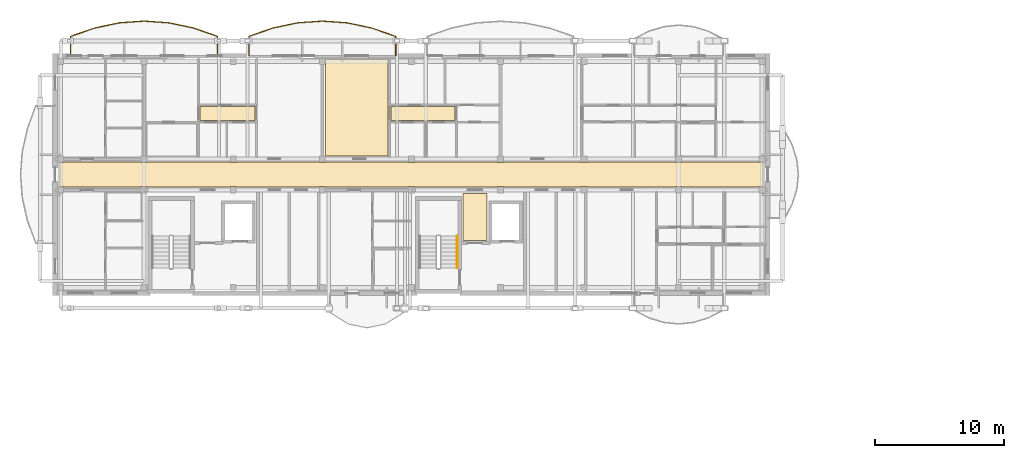
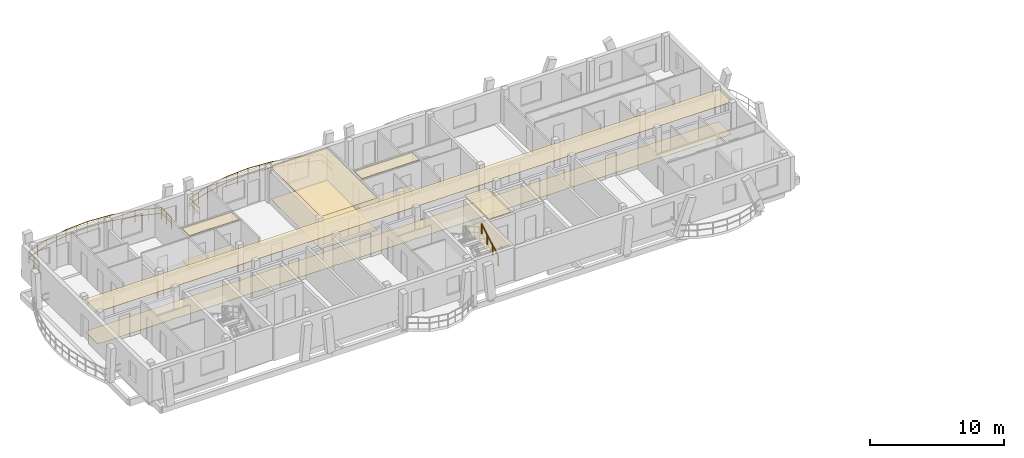
# One storey, part 42 of 48: 10 coverings, 3 railings.
"""IFC4 building model written with IfcOpenShell, lengths in metres."""

from ifc_helpers import new_model, si_unit, direction, frame, origin, origin_2d, place, context, subcontext, project, spatial, polyline, rectangle, outline, extrude, material, layer, layer_set, type_object, element, save


model = new_model("IFC4")

# Units and contexts
model_context = context("Model", 3, precision=1e-05, world=origin(), true_north=direction((0.0, 1.0)))
body_context = subcontext(model_context, "Body", "Model", "MODEL_VIEW")
ifc_project = project(units=[si_unit("LENGTHUNIT", "METRE"), si_unit("AREAUNIT", "SQUARE_METRE"), si_unit("VOLUMEUNIT", "CUBIC_METRE"), si_unit("PLANEANGLEUNIT", "RADIAN"), si_unit("MASSUNIT", "GRAM", prefix="KILO")], contexts=[model_context])

# Site, building, storey
site_placement = place(None, origin())
site = spatial("IfcSite", under=ifc_project, at=site_placement, CompositionType="ELEMENT")
building_placement = place(site_placement, origin())
building = spatial("IfcBuilding", under=site, at=building_placement, Name="Zavelmont Quarter", CompositionType="ELEMENT")
storey_placement = place(building_placement, frame((0.0, 0.0, 17.60009765625)))
storey = spatial("IfcBuildingStorey", under=building, at=storey_placement, Name="L05", CompositionType="ELEMENT", Elevation=17.60009765625)

# Coverings
ifc_material_1 = material(Name="Perforated acoustic gypsum board")
ifc_layer_1 = layer(ifc_material_1, 0.02490234375)
ifc_layer_set_1 = layer_set([ifc_layer_1], Name="Perforated acoustic gypsum board")
covering_type_1 = type_object("IfcCoveringType", Name="CV-CL01", PredefinedType="CEILING", material=ifc_layer_set_1)
covering_1_placement = place(storey_placement, frame((0.0, 0.0, 2.9248046875)))
element("IfcCovering", 1, at=covering_1_placement, inside=storey, type_object=covering_type_1, Name="L05 Lobby Vestibule acoustic ceiling", PredefinedType="CEILING", context=body_context, shape_type="SweptSolid", body=[
    extrude(outline(polyline([(31.580078125, 105.320068359375), (33.469970703125, 105.320068359375), (33.469970703125, 101.679931640625), (31.580078125, 101.679931640625), (31.580078125, 105.320068359375)])), origin(), (0.0, 0.0, 1.0), 0.025146484375),
])
covering_2_placement = place(storey_placement, frame((0.0, 0.0, 2.9248046875)))
element("IfcCovering", 2, at=covering_2_placement, inside=storey, type_object=covering_type_1, Name="L05 Residential Corridor acoustic ceiling", PredefinedType="CEILING", context=body_context, shape_type="SweptSolid", body=[
    extrude(outline(polyline([(0.3798828125, 107.735107421875), (0.705078125, 107.735107421875), (0.705078125, 107.77001953125), (6.635009765625, 107.77001953125), (6.635009765625, 107.735107421875), (7.1650390625, 107.735107421875), (7.1650390625, 107.77001953125), (13.534912109375, 107.77001953125), (13.534912109375, 107.735107421875), (14.06494140625, 107.735107421875), (14.06494140625, 107.77001953125), (20.43505859375, 107.77001953125), (20.43505859375, 107.735107421875), (20.965087890625, 107.735107421875), (20.965087890625, 107.77001953125), (27.3349609375, 107.77001953125), (27.3349609375, 107.735107421875), (27.864990234375, 107.735107421875), (27.864990234375, 107.77001953125), (34.235107421875, 107.77001953125), (34.235107421875, 107.735107421875), (34.764892578125, 107.735107421875), (34.764892578125, 107.77001953125), (40.695068359375, 107.77001953125), (40.695068359375, 107.735107421875), (41.22509765625, 107.735107421875), (41.22509765625, 107.77001953125), (48.034912109375, 107.77001953125), (48.034912109375, 107.735107421875), (48.56494140625, 107.735107421875), (48.56494140625, 107.77001953125), (54.4951171875, 107.77001953125), (54.4951171875, 107.735107421875), (54.820068359375, 107.735107421875), (54.820068359375, 105.864990234375), (54.4951171875, 105.864990234375), (54.4951171875, 105.830078125), (48.56494140625, 105.830078125), (48.56494140625, 105.864990234375), (48.034912109375, 105.864990234375), (48.034912109375, 105.830078125), (41.22509765625, 105.830078125), (41.22509765625, 105.864990234375), (40.695068359375, 105.864990234375), (40.695068359375, 105.830078125), (34.764892578125, 105.830078125), (34.764892578125, 105.864990234375), (34.235107421875, 105.864990234375), (34.235107421875, 105.830078125), (27.864990234375, 105.830078125), (27.864990234375, 105.864990234375), (27.3349609375, 105.864990234375), (27.3349609375, 105.830078125), (20.965087890625, 105.830078125), (20.965087890625, 105.864990234375), (20.43505859375, 105.864990234375), (20.43505859375, 105.830078125), (14.06494140625, 105.830078125), (14.06494140625, 105.864990234375), (13.534912109375, 105.864990234375), (13.534912109375, 105.830078125), (7.1650390625, 105.830078125), (7.1650390625, 105.864990234375), (6.635009765625, 105.864990234375), (6.635009765625, 105.830078125), (0.705078125, 105.830078125), (0.705078125, 105.864990234375), (0.3798828125, 105.864990234375), (0.3798828125, 107.735107421875)])), origin(), (0.0, 0.0, 1.0), 0.025146484375),
])
covering_3_placement = place(storey_placement, frame((0.0, 0.0, 2.9248046875)))
element("IfcCovering", 3, at=covering_3_placement, inside=storey, type_object=covering_type_1, Name="L05 Living Dining acoustic ceiling", PredefinedType="CEILING", context=body_context, shape_type="SweptSolid", body=[
    extrude(outline(polyline([(20.929931640625, 115.294921875), (20.965087890625, 115.294921875), (20.965087890625, 115.719970703125), (25.77001953125, 115.719970703125), (25.77001953125, 108.22998046875), (20.965087890625, 108.22998046875), (20.965087890625, 108.264892578125), (20.929931640625, 108.264892578125), (20.929931640625, 115.294921875)])), origin(), (0.0, 0.0, 1.0), 0.025146484375),
])
ifc_material_2 = material(Name="Slatted European ash acoustic baffle ceiling")
ifc_layer_2 = layer(ifc_material_2, 0.0400390625)
ifc_layer_set_2 = layer_set([ifc_layer_2], Name="Slatted European ash acoustic baffle ceiling")
covering_type_2 = type_object("IfcCoveringType", Name="CV-CL02", PredefinedType="CEILING", material=ifc_layer_set_2)
covering_4_placement = place(storey_placement, frame((0.0, 0.0, 2.909912109375)))
element("IfcCovering", 4, at=covering_4_placement, inside=storey, type_object=covering_type_2, Name="L05 Apartment Hall acoustic ceiling", PredefinedType="CEILING", context=body_context, shape_type="SweptSolid", body=[
    extrude(outline(polyline([(11.22998046875, 112.070068359375), (15.469970703125, 112.070068359375), (15.469970703125, 110.97998046875), (11.22998046875, 110.97998046875), (11.22998046875, 112.070068359375)])), origin(), (0.0, 0.0, 1.0), 0.0400390625),
])
covering_5_placement = place(storey_placement, frame((0.0, 0.0, 2.909912109375)))
element("IfcCovering", 5, at=covering_5_placement, inside=storey, type_object=covering_type_2, Name="L05 Apartment Hall acoustic ceiling", PredefinedType="CEILING", context=body_context, shape_type="SweptSolid", body=[
    extrude(outline(polyline([(26.030029296875, 112.070068359375), (30.969970703125, 112.070068359375), (30.969970703125, 110.97998046875), (26.030029296875, 110.97998046875), (26.030029296875, 112.070068359375)])), origin(), (0.0, 0.0, 1.0), 0.0400390625),
])
ifc_material_3 = material(Name="Engineered European oak parquet")
ifc_layer_3 = layer(ifc_material_3, 0.02197265625)
ifc_layer_set_3 = layer_set([ifc_layer_3], Name="Engineered European oak parquet")
covering_type_3 = type_object("IfcCoveringType", Name="CV-FL01", PredefinedType="FLOORING", material=ifc_layer_set_3)
covering_6_placement = place(storey_placement, origin())
element("IfcCovering", 6, at=covering_6_placement, inside=storey, type_object=covering_type_3, Name="L05 Lobby Vestibule floor finish", PredefinedType="FLOORING", context=body_context, shape_type="SweptSolid", body=[
    extrude(outline(polyline([(31.580078125, 105.320068359375), (33.469970703125, 105.320068359375), (33.469970703125, 101.679931640625), (31.580078125, 101.679931640625), (31.580078125, 105.320068359375)])), origin(), (0.0, 0.0, 1.0), 0.02197265625),
])
covering_7_placement = place(storey_placement, origin())
element("IfcCovering", 7, at=covering_7_placement, inside=storey, type_object=covering_type_3, Name="L05 Residential Corridor floor finish", PredefinedType="FLOORING", context=body_context, shape_type="SweptSolid", body=[
    extrude(outline(polyline([(0.3798828125, 107.735107421875), (0.705078125, 107.735107421875), (0.705078125, 107.77001953125), (6.635009765625, 107.77001953125), (6.635009765625, 107.735107421875), (7.1650390625, 107.735107421875), (7.1650390625, 107.77001953125), (13.534912109375, 107.77001953125), (13.534912109375, 107.735107421875), (14.06494140625, 107.735107421875), (14.06494140625, 107.77001953125), (20.43505859375, 107.77001953125), (20.43505859375, 107.735107421875), (20.965087890625, 107.735107421875), (20.965087890625, 107.77001953125), (27.3349609375, 107.77001953125), (27.3349609375, 107.735107421875), (27.864990234375, 107.735107421875), (27.864990234375, 107.77001953125), (34.235107421875, 107.77001953125), (34.235107421875, 107.735107421875), (34.764892578125, 107.735107421875), (34.764892578125, 107.77001953125), (40.695068359375, 107.77001953125), (40.695068359375, 107.735107421875), (41.22509765625, 107.735107421875), (41.22509765625, 107.77001953125), (48.034912109375, 107.77001953125), (48.034912109375, 107.735107421875), (48.56494140625, 107.735107421875), (48.56494140625, 107.77001953125), (54.4951171875, 107.77001953125), (54.4951171875, 107.735107421875), (54.820068359375, 107.735107421875), (54.820068359375, 105.864990234375), (54.4951171875, 105.864990234375), (54.4951171875, 105.830078125), (48.56494140625, 105.830078125), (48.56494140625, 105.864990234375), (48.034912109375, 105.864990234375), (48.034912109375, 105.830078125), (41.22509765625, 105.830078125), (41.22509765625, 105.864990234375), (40.695068359375, 105.864990234375), (40.695068359375, 105.830078125), (34.764892578125, 105.830078125), (34.764892578125, 105.864990234375), (34.235107421875, 105.864990234375), (34.235107421875, 105.830078125), (27.864990234375, 105.830078125), (27.864990234375, 105.864990234375), (27.3349609375, 105.864990234375), (27.3349609375, 105.830078125), (20.965087890625, 105.830078125), (20.965087890625, 105.864990234375), (20.43505859375, 105.864990234375), (20.43505859375, 105.830078125), (14.06494140625, 105.830078125), (14.06494140625, 105.864990234375), (13.534912109375, 105.864990234375), (13.534912109375, 105.830078125), (7.1650390625, 105.830078125), (7.1650390625, 105.864990234375), (6.635009765625, 105.864990234375), (6.635009765625, 105.830078125), (0.705078125, 105.830078125), (0.705078125, 105.864990234375), (0.3798828125, 105.864990234375), (0.3798828125, 107.735107421875)])), origin(), (0.0, 0.0, 1.0), 0.02197265625),
])
covering_8_placement = place(storey_placement, origin())
element("IfcCovering", 8, at=covering_8_placement, inside=storey, type_object=covering_type_3, Name="L05 Living Dining floor finish", PredefinedType="FLOORING", context=body_context, shape_type="SweptSolid", body=[
    extrude(outline(polyline([(20.929931640625, 115.294921875), (20.965087890625, 115.294921875), (20.965087890625, 115.719970703125), (25.77001953125, 115.719970703125), (25.77001953125, 108.22998046875), (20.965087890625, 108.22998046875), (20.965087890625, 108.264892578125), (20.929931640625, 108.264892578125), (20.929931640625, 115.294921875)])), origin(), (0.0, 0.0, 1.0), 0.02197265625),
])
ifc_material_4 = material(Name="Honed Belgian bluestone tile", Category="masonry")
ifc_layer_4 = layer(ifc_material_4, 0.030029296875)
ifc_layer_set_4 = layer_set([ifc_layer_4], Name="Honed Belgian bluestone tile")
covering_type_4 = type_object("IfcCoveringType", Name="CV-FL02", PredefinedType="FLOORING", material=ifc_layer_set_4)
covering_9_placement = place(storey_placement, origin())
element("IfcCovering", 9, at=covering_9_placement, inside=storey, type_object=covering_type_4, Name="L05 Apartment Hall floor finish", PredefinedType="FLOORING", context=body_context, shape_type="SweptSolid", body=[
    extrude(outline(polyline([(11.22998046875, 112.070068359375), (15.469970703125, 112.070068359375), (15.469970703125, 110.97998046875), (11.22998046875, 110.97998046875), (11.22998046875, 112.070068359375)])), origin(), (0.0, 0.0, 1.0), 0.02978515625),
])
covering_10_placement = place(storey_placement, origin())
element("IfcCovering", 10, at=covering_10_placement, inside=storey, type_object=covering_type_4, Name="L05 Apartment Hall floor finish", PredefinedType="FLOORING", context=body_context, shape_type="SweptSolid", body=[
    extrude(outline(polyline([(26.030029296875, 112.070068359375), (30.969970703125, 112.070068359375), (30.969970703125, 110.97998046875), (26.030029296875, 110.97998046875), (26.030029296875, 112.070068359375)])), origin(), (0.0, 0.0, 1.0), 0.02978515625),
])

# Railings
ifc_material_5 = material(Name="Powder-coated steel and tempered double safety glass", Category="steel")
railing_type_1 = type_object("IfcRailingType", Name="RL-BAL1", PredefinedType="BALUSTRADE", material=ifc_material_5)
railing_1_placement = place(storey_placement, frame((12.590576171875, 116.02001953125, 0.0)))
element("IfcRailing", 11, at=railing_1_placement, inside=storey, type_object=railing_type_1, Name="L05 Block B curved balcony guard RL-BAL1", PredefinedType="BALUSTRADE", context=body_context, shape_type="SweptSolid", body=[
    extrude(rectangle(XDim=0.048095703125, YDim=0.048095703125, at=origin_2d()), frame((0.0, 0.0, 1.076171875), z_axis=(0.0, 1.0, 0.0), x_axis=(-1.0, 0.0, 0.0)), (0.0, 0.0, 1.0), 1.487060546875),
    extrude(rectangle(XDim=0.048095703125, YDim=0.048095703125, at=origin_2d()), frame((0.0, 0.0, 0.550048828125), z_axis=(0.0, 1.0, 0.0), x_axis=(-1.0, 0.0, 0.0)), (0.0, 0.0, 1.0), 1.487060546875),
    extrude(rectangle(XDim=0.048095703125, YDim=0.048095703125, at=origin_2d()), frame((0.0, 1.487060546875, 1.076171875), z_axis=(-0.944821144825, 0.327586636314, 0.0), x_axis=(-0.327586636314, -0.944821144825, 0.0)), (0.0, 0.0, 1.0), 2.0078125),
    extrude(rectangle(XDim=0.048095703125, YDim=0.048095703125, at=origin_2d()), frame((0.0, 1.487060546875, 0.550048828125), z_axis=(-0.944821144825, 0.327586636314, 0.0), x_axis=(-0.327586636314, -0.944821144825, 0.0)), (0.0, 0.0, 1.0), 2.0078125),
    extrude(rectangle(XDim=0.048095703125, YDim=0.048095703125, at=origin_2d()), frame((-1.89697265625, 2.144775390625, 1.076171875), z_axis=(-0.979044324856, 0.203647268499, 0.0), x_axis=(-0.203647268499, -0.979044324856, 0.0)), (0.0, 0.0, 1.0), 1.937255859375),
    extrude(rectangle(XDim=0.048095703125, YDim=0.048095703125, at=origin_2d()), frame((-1.89697265625, 2.144775390625, 0.550048828125), z_axis=(-0.979044324856, 0.203647268499, 0.0), x_axis=(-0.203647268499, -0.979044324856, 0.0)), (0.0, 0.0, 1.0), 1.937255859375),
    extrude(rectangle(XDim=0.048095703125, YDim=0.048095703125, at=origin_2d()), frame((-3.793701171875, 2.539306640625, 1.076171875), z_axis=(-0.997602594269, 0.069203062846, 0.0), x_axis=(-0.069203062846, -0.997602594269, 0.0)), (0.0, 0.0, 1.0), 1.901611328125),
    extrude(rectangle(XDim=0.048095703125, YDim=0.048095703125, at=origin_2d()), frame((-3.793701171875, 2.539306640625, 0.550048828125), z_axis=(-0.997602594269, 0.069203062846, 0.0), x_axis=(-0.069203062846, -0.997602594269, 0.0)), (0.0, 0.0, 1.0), 1.901611328125),
    extrude(rectangle(XDim=0.048095703125, YDim=0.048095703125, at=origin_2d()), frame((-5.690673828125, 2.6708984375, 1.076171875), z_axis=(-0.997601979276, -0.069211927768, 0.0), x_axis=(0.069211927768, -0.997601979276, 0.0)), (0.0, 0.0, 1.0), 1.9013671875),
    extrude(rectangle(XDim=0.048095703125, YDim=0.048095703125, at=origin_2d()), frame((-5.690673828125, 2.6708984375, 0.550048828125), z_axis=(-0.997601979276, -0.069211927768, 0.0), x_axis=(0.069211927768, -0.997601979276, 0.0)), (0.0, 0.0, 1.0), 1.9013671875),
    extrude(rectangle(XDim=0.048095703125, YDim=0.048095703125, at=origin_2d()), frame((-7.58740234375, 2.539306640625, 1.076171875), z_axis=(-0.97904955019, -0.203622145831, 0.0), x_axis=(0.203622145831, -0.97904955019, 0.0)), (0.0, 0.0, 1.0), 1.9375),
    extrude(rectangle(XDim=0.048095703125, YDim=0.048095703125, at=origin_2d()), frame((-7.58740234375, 2.539306640625, 0.550048828125), z_axis=(-0.97904955019, -0.203622145831, 0.0), x_axis=(0.203622145831, -0.97904955019, 0.0)), (0.0, 0.0, 1.0), 1.9375),
    extrude(rectangle(XDim=0.048095703125, YDim=0.048095703125, at=origin_2d()), frame((-9.484375, 2.144775390625, 1.076171875), z_axis=(-0.944808093465, -0.327624276457, 0.0), x_axis=(0.327624276457, -0.944808093465, 0.0)), (0.0, 0.0, 1.0), 2.007568359375),
    extrude(rectangle(XDim=0.048095703125, YDim=0.048095703125, at=origin_2d()), frame((-9.484375, 2.144775390625, 0.550048828125), z_axis=(-0.944808093465, -0.327624276457, 0.0), x_axis=(0.327624276457, -0.944808093465, 0.0)), (0.0, 0.0, 1.0), 2.007568359375),
    extrude(rectangle(XDim=0.048095703125, YDim=0.048095703125, at=origin_2d()), frame((-11.381103515625, 1.487060546875, 1.076171875), z_axis=(0.0, -1.0, 0.0), x_axis=(1.0, 0.0, 0.0)), (0.0, 0.0, 1.0), 1.487060546875),
    extrude(rectangle(XDim=0.048095703125, YDim=0.048095703125, at=origin_2d()), frame((-11.381103515625, 1.487060546875, 0.550048828125), z_axis=(0.0, -1.0, 0.0), x_axis=(1.0, 0.0, 0.0)), (0.0, 0.0, 1.0), 1.487060546875),
    extrude(rectangle(XDim=0.0419921875, YDim=0.0419921875, at=origin_2d()), origin(), (0.0, 0.0, 1.0), 1.052001953125),
    extrude(rectangle(XDim=0.0419921875, YDim=0.0419921875, at=origin_2d()), frame((0.0, 0.74365234375, 0.0)), (0.0, 0.0, 1.0), 1.052001953125),
    extrude(rectangle(XDim=0.0419921875, YDim=0.0419921875, at=origin_2d()), frame((0.0, 1.487060546875, 0.0)), (0.0, 0.0, 1.0), 1.052001953125),
    extrude(rectangle(XDim=0.0419921875, YDim=0.0419921875, at=origin_2d()), frame((-0.948486328125, 1.81591796875, 0.0)), (0.0, 0.0, 1.0), 1.052001953125),
    extrude(rectangle(XDim=0.0419921875, YDim=0.0419921875, at=origin_2d()), frame((-1.89697265625, 2.144775390625, 0.0)), (0.0, 0.0, 1.0), 1.052001953125),
    extrude(rectangle(XDim=0.0419921875, YDim=0.0419921875, at=origin_2d()), frame((-2.84521484375, 2.342041015625, 0.0)), (0.0, 0.0, 1.0), 1.052001953125),
    extrude(rectangle(XDim=0.0419921875, YDim=0.0419921875, at=origin_2d()), frame((-3.793701171875, 2.539306640625, 0.0)), (0.0, 0.0, 1.0), 1.052001953125),
    extrude(rectangle(XDim=0.0419921875, YDim=0.0419921875, at=origin_2d()), frame((-4.7421875, 2.60498046875, 0.0)), (0.0, 0.0, 1.0), 1.052001953125),
    extrude(rectangle(XDim=0.0419921875, YDim=0.0419921875, at=origin_2d()), frame((-5.690673828125, 2.6708984375, 0.0)), (0.0, 0.0, 1.0), 1.052001953125),
    extrude(rectangle(XDim=0.0419921875, YDim=0.0419921875, at=origin_2d()), frame((-6.63916015625, 2.60498046875, 0.0)), (0.0, 0.0, 1.0), 1.052001953125),
    extrude(rectangle(XDim=0.0419921875, YDim=0.0419921875, at=origin_2d()), frame((-7.58740234375, 2.539306640625, 0.0)), (0.0, 0.0, 1.0), 1.052001953125),
    extrude(rectangle(XDim=0.0419921875, YDim=0.0419921875, at=origin_2d()), frame((-8.535888671875, 2.342041015625, 0.0)), (0.0, 0.0, 1.0), 1.052001953125),
    extrude(rectangle(XDim=0.0419921875, YDim=0.0419921875, at=origin_2d()), frame((-9.484375, 2.144775390625, 0.0)), (0.0, 0.0, 1.0), 1.052001953125),
    extrude(rectangle(XDim=0.0419921875, YDim=0.0419921875, at=origin_2d()), frame((-10.4326171875, 1.81591796875, 0.0)), (0.0, 0.0, 1.0), 1.052001953125),
    extrude(rectangle(XDim=0.0419921875, YDim=0.0419921875, at=origin_2d()), frame((-11.381103515625, 1.487060546875, 0.0)), (0.0, 0.0, 1.0), 1.052001953125),
    extrude(rectangle(XDim=0.0419921875, YDim=0.0419921875, at=origin_2d()), frame((-11.381103515625, 0.74365234375, 0.0)), (0.0, 0.0, 1.0), 1.052001953125),
    extrude(rectangle(XDim=0.0419921875, YDim=0.0419921875, at=origin_2d()), frame((-11.381103515625, 0.0, 0.0)), (0.0, 0.0, 1.0), 1.052001953125),
])
railing_2_placement = place(storey_placement, frame((26.390625, 116.02001953125, 0.0)))
element("IfcRailing", 12, at=railing_2_placement, inside=storey, type_object=railing_type_1, Name="L05 Block B curved balcony guard RL-BAL1", PredefinedType="BALUSTRADE", context=body_context, shape_type="SweptSolid", body=[
    extrude(rectangle(XDim=0.048095703125, YDim=0.048095703125, at=origin_2d()), frame((0.0, 0.0, 1.076171875), z_axis=(0.0, 1.0, 0.0), x_axis=(-1.0, 0.0, 0.0)), (0.0, 0.0, 1.0), 1.487060546875),
    extrude(rectangle(XDim=0.048095703125, YDim=0.048095703125, at=origin_2d()), frame((0.0, 0.0, 0.550048828125), z_axis=(0.0, 1.0, 0.0), x_axis=(-1.0, 0.0, 0.0)), (0.0, 0.0, 1.0), 1.487060546875),
    extrude(rectangle(XDim=0.048095703125, YDim=0.048095703125, at=origin_2d()), frame((0.0, 1.487060546875, 1.076171875), z_axis=(-0.944821144825, 0.327586636314, 0.0), x_axis=(-0.327586636314, -0.944821144825, 0.0)), (0.0, 0.0, 1.0), 2.0078125),
    extrude(rectangle(XDim=0.048095703125, YDim=0.048095703125, at=origin_2d()), frame((0.0, 1.487060546875, 0.550048828125), z_axis=(-0.944821144825, 0.327586636314, 0.0), x_axis=(-0.327586636314, -0.944821144825, 0.0)), (0.0, 0.0, 1.0), 2.0078125),
    extrude(rectangle(XDim=0.048095703125, YDim=0.048095703125, at=origin_2d()), frame((-1.89697265625, 2.144775390625, 1.076171875), z_axis=(-0.979044324856, 0.203647268499, 0.0), x_axis=(-0.203647268499, -0.979044324856, 0.0)), (0.0, 0.0, 1.0), 1.937255859375),
    extrude(rectangle(XDim=0.048095703125, YDim=0.048095703125, at=origin_2d()), frame((-1.89697265625, 2.144775390625, 0.550048828125), z_axis=(-0.979044324856, 0.203647268499, 0.0), x_axis=(-0.203647268499, -0.979044324856, 0.0)), (0.0, 0.0, 1.0), 1.937255859375),
    extrude(rectangle(XDim=0.048095703125, YDim=0.048095703125, at=origin_2d()), frame((-3.793701171875, 2.539306640625, 1.076171875), z_axis=(-0.997602594269, 0.069203062846, 0.0), x_axis=(-0.069203062846, -0.997602594269, 0.0)), (0.0, 0.0, 1.0), 1.901611328125),
    extrude(rectangle(XDim=0.048095703125, YDim=0.048095703125, at=origin_2d()), frame((-3.793701171875, 2.539306640625, 0.550048828125), z_axis=(-0.997602594269, 0.069203062846, 0.0), x_axis=(-0.069203062846, -0.997602594269, 0.0)), (0.0, 0.0, 1.0), 1.901611328125),
    extrude(rectangle(XDim=0.048095703125, YDim=0.048095703125, at=origin_2d()), frame((-5.690673828125, 2.6708984375, 1.076171875), z_axis=(-0.997602594269, -0.069203062846, 0.0), x_axis=(0.069203062846, -0.997602594269, 0.0)), (0.0, 0.0, 1.0), 1.901611328125),
    extrude(rectangle(XDim=0.048095703125, YDim=0.048095703125, at=origin_2d()), frame((-5.690673828125, 2.6708984375, 0.550048828125), z_axis=(-0.997602594269, -0.069203062846, 0.0), x_axis=(0.069203062846, -0.997602594269, 0.0)), (0.0, 0.0, 1.0), 1.901611328125),
    extrude(rectangle(XDim=0.048095703125, YDim=0.048095703125, at=origin_2d()), frame((-7.587646484375, 2.539306640625, 1.076171875), z_axis=(-0.979044324856, -0.203647268499, 0.0), x_axis=(0.203647268499, -0.979044324856, 0.0)), (0.0, 0.0, 1.0), 1.937255859375),
    extrude(rectangle(XDim=0.048095703125, YDim=0.048095703125, at=origin_2d()), frame((-7.587646484375, 2.539306640625, 0.550048828125), z_axis=(-0.979044324856, -0.203647268499, 0.0), x_axis=(0.203647268499, -0.979044324856, 0.0)), (0.0, 0.0, 1.0), 1.937255859375),
    extrude(rectangle(XDim=0.048095703125, YDim=0.048095703125, at=origin_2d()), frame((-9.484375, 2.144775390625, 1.076171875), z_axis=(-0.944808093465, -0.327624276457, 0.0), x_axis=(0.327624276457, -0.944808093465, 0.0)), (0.0, 0.0, 1.0), 2.007568359375),
    extrude(rectangle(XDim=0.048095703125, YDim=0.048095703125, at=origin_2d()), frame((-9.484375, 2.144775390625, 0.550048828125), z_axis=(-0.944808093465, -0.327624276457, 0.0), x_axis=(0.327624276457, -0.944808093465, 0.0)), (0.0, 0.0, 1.0), 2.007568359375),
    extrude(rectangle(XDim=0.048095703125, YDim=0.048095703125, at=origin_2d()), frame((-11.381103515625, 1.487060546875, 1.076171875), z_axis=(0.0, -1.0, 0.0), x_axis=(1.0, 0.0, 0.0)), (0.0, 0.0, 1.0), 1.487060546875),
    extrude(rectangle(XDim=0.048095703125, YDim=0.048095703125, at=origin_2d()), frame((-11.381103515625, 1.487060546875, 0.550048828125), z_axis=(0.0, -1.0, 0.0), x_axis=(1.0, 0.0, 0.0)), (0.0, 0.0, 1.0), 1.487060546875),
    extrude(rectangle(XDim=0.0419921875, YDim=0.0419921875, at=origin_2d()), origin(), (0.0, 0.0, 1.0), 1.052001953125),
    extrude(rectangle(XDim=0.0419921875, YDim=0.0419921875, at=origin_2d()), frame((0.0, 0.74365234375, 0.0)), (0.0, 0.0, 1.0), 1.052001953125),
    extrude(rectangle(XDim=0.0419921875, YDim=0.0419921875, at=origin_2d()), frame((0.0, 1.487060546875, 0.0)), (0.0, 0.0, 1.0), 1.052001953125),
    extrude(rectangle(XDim=0.0419921875, YDim=0.0419921875, at=origin_2d()), frame((-0.948486328125, 1.81591796875, 0.0)), (0.0, 0.0, 1.0), 1.052001953125),
    extrude(rectangle(XDim=0.0419921875, YDim=0.0419921875, at=origin_2d()), frame((-1.89697265625, 2.144775390625, 0.0)), (0.0, 0.0, 1.0), 1.052001953125),
    extrude(rectangle(XDim=0.0419921875, YDim=0.0419921875, at=origin_2d()), frame((-2.84521484375, 2.342041015625, 0.0)), (0.0, 0.0, 1.0), 1.052001953125),
    extrude(rectangle(XDim=0.0419921875, YDim=0.0419921875, at=origin_2d()), frame((-3.793701171875, 2.539306640625, 0.0)), (0.0, 0.0, 1.0), 1.052001953125),
    extrude(rectangle(XDim=0.0419921875, YDim=0.0419921875, at=origin_2d()), frame((-4.7421875, 2.60498046875, 0.0)), (0.0, 0.0, 1.0), 1.052001953125),
    extrude(rectangle(XDim=0.0419921875, YDim=0.0419921875, at=origin_2d()), frame((-5.690673828125, 2.6708984375, 0.0)), (0.0, 0.0, 1.0), 1.052001953125),
    extrude(rectangle(XDim=0.0419921875, YDim=0.0419921875, at=origin_2d()), frame((-6.63916015625, 2.60498046875, 0.0)), (0.0, 0.0, 1.0), 1.052001953125),
    extrude(rectangle(XDim=0.0419921875, YDim=0.0419921875, at=origin_2d()), frame((-7.587646484375, 2.539306640625, 0.0)), (0.0, 0.0, 1.0), 1.052001953125),
    extrude(rectangle(XDim=0.0419921875, YDim=0.0419921875, at=origin_2d()), frame((-8.5361328125, 2.342041015625, 0.0)), (0.0, 0.0, 1.0), 1.052001953125),
    extrude(rectangle(XDim=0.0419921875, YDim=0.0419921875, at=origin_2d()), frame((-9.484375, 2.144775390625, 0.0)), (0.0, 0.0, 1.0), 1.052001953125),
    extrude(rectangle(XDim=0.0419921875, YDim=0.0419921875, at=origin_2d()), frame((-10.4326171875, 1.81591796875, 0.0)), (0.0, 0.0, 1.0), 1.052001953125),
    extrude(rectangle(XDim=0.0419921875, YDim=0.0419921875, at=origin_2d()), frame((-11.381103515625, 1.487060546875, 0.0)), (0.0, 0.0, 1.0), 1.052001953125),
    extrude(rectangle(XDim=0.0419921875, YDim=0.0419921875, at=origin_2d()), frame((-11.381103515625, 0.74365234375, 0.0)), (0.0, 0.0, 1.0), 1.052001953125),
    extrude(rectangle(XDim=0.0419921875, YDim=0.0419921875, at=origin_2d()), frame((-11.381103515625, 0.0, 0.0)), (0.0, 0.0, 1.0), 1.052001953125),
])
ifc_material_6 = material(Name="Brushed stainless-steel wall handrail", Category="steel")
railing_type_2 = type_object("IfcRailingType", Name="RL-HND1", PredefinedType="HANDRAIL", material=ifc_material_6)
railing_3_placement = place(storey_placement, frame((31.14990234375, 99.550048828125, 0.177734375)))
element("IfcRailing", 13, at=railing_3_placement, inside=storey, type_object=railing_type_2, Name="L05 ST04 stair handrail 1", PredefinedType="HANDRAIL", context=body_context, shape_type="SweptSolid", body=[
    extrude(rectangle(XDim=0.048095703125, YDim=0.048095703125, at=origin_2d()), frame((0.0, 0.0, 0.8759765625), z_axis=(0.0, 0.867490628297, 0.497453525283), x_axis=(-1.0, 0.0, 0.0)), (0.0, 0.0, 1.0), 2.85888671875),
    extrude(rectangle(XDim=0.0419921875, YDim=0.0419921875, at=origin_2d()), origin(), (0.0, 0.0, 1.0), 0.851806640625),
    extrude(rectangle(XDim=0.0419921875, YDim=0.0419921875, at=origin_2d()), frame((0.0, 0.82666015625, 0.47412109375)), (0.0, 0.0, 1.0), 0.851806640625),
    extrude(rectangle(XDim=0.0419921875, YDim=0.0419921875, at=origin_2d()), frame((0.0, 1.6533203125, 0.947998046875)), (0.0, 0.0, 1.0), 0.851806640625),
    extrude(rectangle(XDim=0.0419921875, YDim=0.0419921875, at=origin_2d()), frame((0.0, 2.47998046875, 1.422119140625)), (0.0, 0.0, 1.0), 0.851806640625),
])

save(model, "model.ifc")
